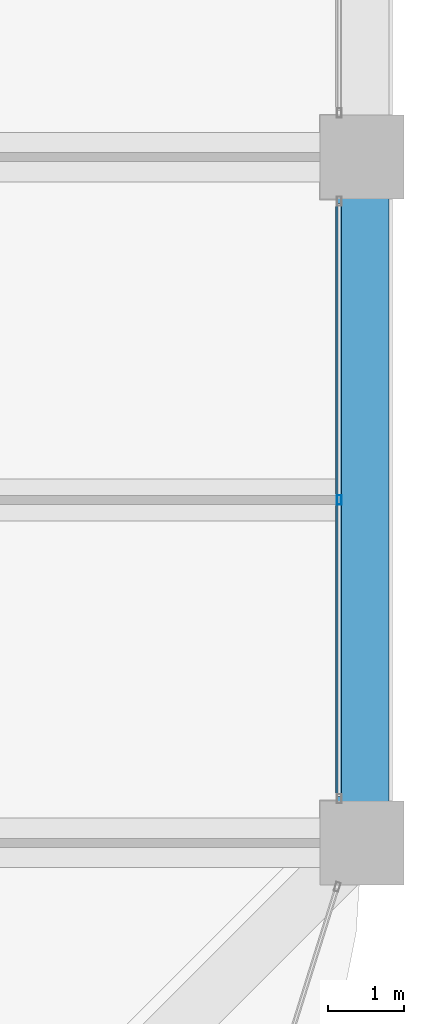
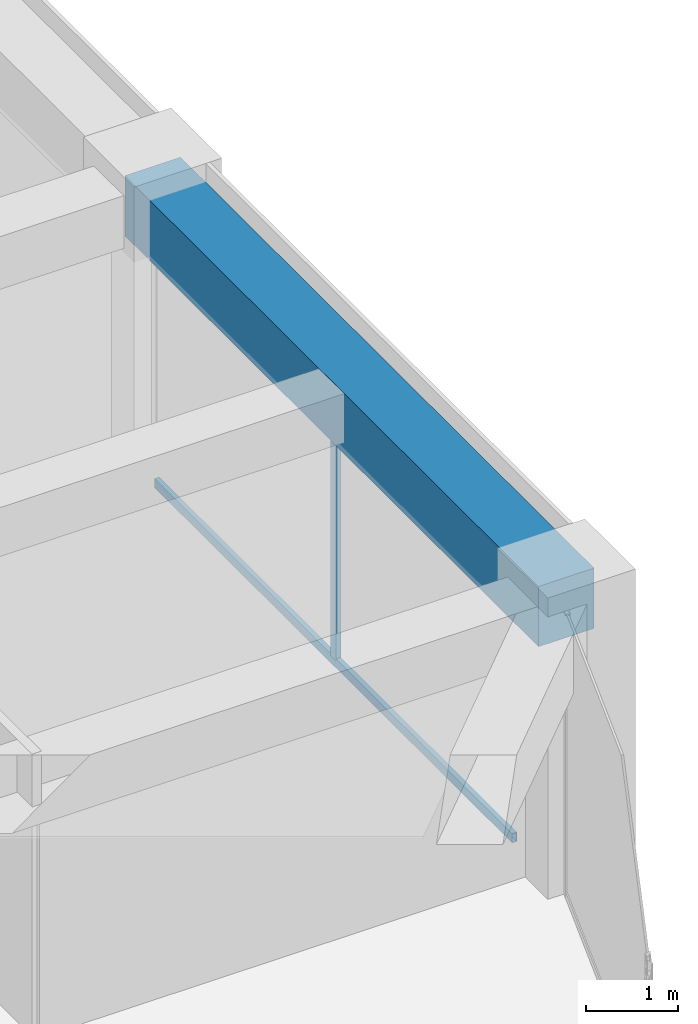
# One storey, part 23 of 44: 2 members, 1 beam, 1 element without a shape of its own.
"""IFC4 building model written with IfcOpenShell, lengths in metres."""

from ifc_helpers import new_model, si_unit, direction, frame, origin, origin_2d, place, context, subcontext, project, spatial, rectangle, hollow_rectangle, extrude, material, material_profile, profile_set, type_object, element, aggregate, save


model = new_model("IFC4")

# Units and contexts
model_context = context("Model", 3, precision=1e-05, world=origin(), true_north=direction((0.0, 1.0)))
body_context = subcontext(model_context, "Body", "Model", "MODEL_VIEW")
ifc_project = project(units=[si_unit("LENGTHUNIT", "METRE"), si_unit("AREAUNIT", "SQUARE_METRE"), si_unit("VOLUMEUNIT", "CUBIC_METRE"), si_unit("PLANEANGLEUNIT", "RADIAN"), si_unit("MASSUNIT", "GRAM", prefix="KILO")], contexts=[model_context])

# Site, building, storey
site_placement = place(None, origin())
site = spatial("IfcSite", under=ifc_project, at=site_placement, CompositionType="ELEMENT")
building_placement = place(site_placement, origin())
building = spatial("IfcBuilding", under=site, at=building_placement, Name="Zorevar Civic Tower", CompositionType="ELEMENT")
storey_placement = place(building_placement, frame((0.0, 0.0, 271.39990234375)))
storey = spatial("IfcBuildingStorey", under=building, at=storey_placement, Name="L66", CompositionType="ELEMENT", Elevation=271.39990234375)

# Curtain wall, members
ifc_material_1 = material(Name="Dark grey solar-control glass in black aluminium frame", Category="aluminium")
curtain_wall_type = type_object("IfcCurtainWallType", Name="Curtain wall CW5 top zone", PredefinedType="NOTDEFINED", material=ifc_material_1)
curtain_wall_placement = place(storey_placement, origin())
curtain_wall = element("IfcCurtainWall", 1, at=curtain_wall_placement, inside=storey, type_object=curtain_wall_type, Name="CW5 L66", PredefinedType="NOTDEFINED")
ifc_material_2 = material(Name="Aluminium, black anodised", Category="aluminium")
ifc_material_profile_1 = material_profile(ifc_material_2, hollow_rectangle(XDim=0.06005859375, YDim=0.1201171875, WallThickness=0.0029296875, at=origin_2d()), Name="AL 120x60x3")
ifc_profile_set_1 = profile_set([ifc_material_profile_1], Name="Aluminium, black anodised")
member_type_1 = type_object("IfcMemberType", Name="CW5 mullion AL 120x60x3", PredefinedType="MULLION", material=ifc_profile_set_1)
member_1_placement = place(storey_placement, frame((53.699951171875, 13.5, 0.06005859375), z_axis=(0.0, 0.0, 1.0), x_axis=(-1.0, 0.0, 0.0)))
member_1 = element("IfcMember", 2, at=member_1_placement, type_object=member_type_1, Name="CW5 mullion 2", PredefinedType="MULLION", context=body_context, shape_type="SweptSolid", body=[
    extrude(hollow_rectangle(XDim=0.06005859375, YDim=0.1201171875, WallThickness=0.0029296875, at=origin_2d()), origin(), (0.0, 0.0, 1.0), 2.89013671875),
])
ifc_material_3 = material(Name="Aluminium, black anodised", Category="aluminium")
ifc_material_profile_2 = material_profile(ifc_material_3, hollow_rectangle(XDim=0.06005859375, YDim=0.1201171875, WallThickness=0.0029296875, at=origin_2d()), Name="AL 120x60x3")
ifc_profile_set_2 = profile_set([ifc_material_profile_2], Name="Aluminium, black anodised")
member_type_2 = type_object("IfcMemberType", Name="CW5 transom AL 120x60x3", PredefinedType="USERDEFINED", material=ifc_profile_set_2)
member_2_placement = place(storey_placement, frame((53.699951171875, 9.610107421875, 0.030029296875), z_axis=(0.0, 1.0, 0.0), x_axis=(-1.0, 0.0, 0.0)))
member_2 = element("IfcMember", 3, at=member_2_placement, type_object=member_type_2, Name="CW5 sill transom", ObjectType="TRANSOM", PredefinedType="USERDEFINED", context=body_context, shape_type="SweptSolid", body=[
    extrude(hollow_rectangle(XDim=0.06005859375, YDim=0.1201171875, WallThickness=0.0029296875, at=origin_2d()), origin(), (0.0, 0.0, 1.0), 7.77978515625),
])
aggregate(curtain_wall, [member_1, member_2])

# Beam
ifc_material_4 = material(Name="Concrete C50/60", Category="concrete")
ifc_material_profile_3 = material_profile(ifc_material_4, rectangle(XDim=0.699951171875, YDim=0.800048828125, at=origin_2d()), Name="RC 700x800")
ifc_profile_set_3 = profile_set([ifc_material_profile_3], Name="Concrete C50/60")
beam_type = type_object("IfcBeamType", Name="Edge beam RC 700x800", PredefinedType="SPANDREL", material=ifc_profile_set_3)
beam_placement = place(storey_placement, frame((54.0, 9.0, 3.35009765625), z_axis=(0.0, 1.0, 0.0), x_axis=(-1.0, 0.0, 0.0)))
element("IfcBeam", 4, at=beam_placement, inside=storey, type_object=beam_type, Name="Edge beam L67", PredefinedType="SPANDREL", context=body_context, shape_type="SweptSolid", body=[
    extrude(rectangle(XDim=0.699951171875, YDim=0.800048828125, at=origin_2d()), origin(), (0.0, 0.0, 1.0), 9.0),
])

save(model, "model.ifc")
